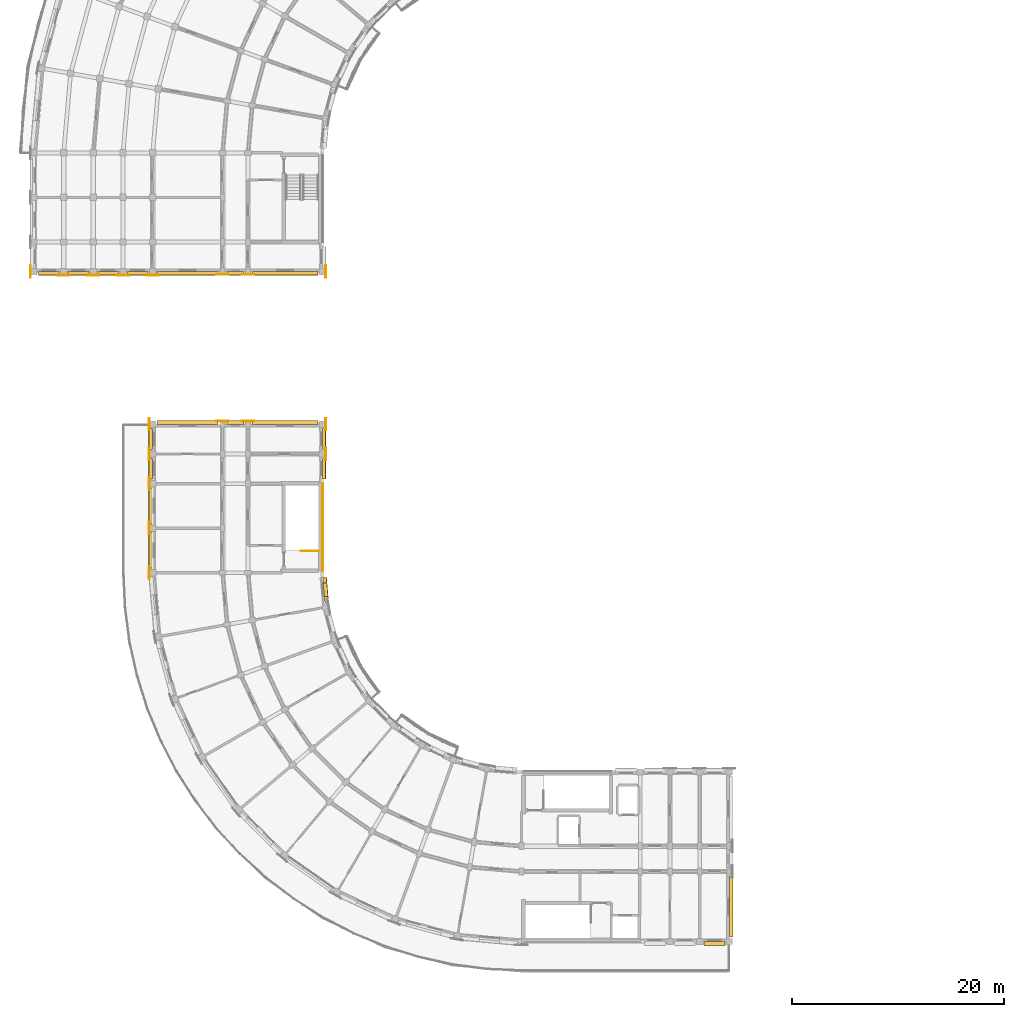
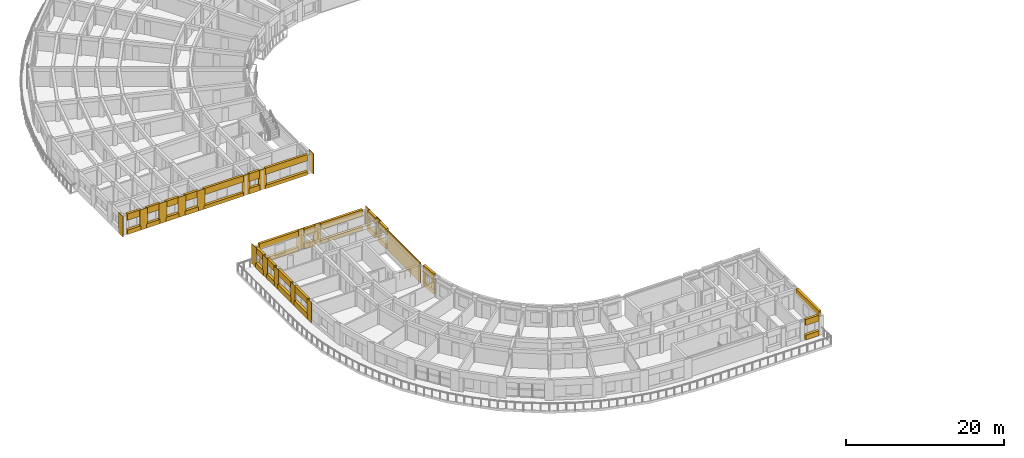
# One storey, part 39 of 53: 57 coverings, 1 railing.
"""IFC4 building model written with IfcOpenShell, lengths in metres."""

from ifc_helpers import new_model, si_unit, direction, frame, origin, origin_2d, place, context, subcontext, project, spatial, polyline, circle, outline, extrude, material, layer, layer_set, type_object, element, save


model = new_model("IFC4")

# Units and contexts
model_context = context("Model", 3, precision=1e-05, world=origin(), true_north=direction((0.0, 1.0)))
body_context = subcontext(model_context, "Body", "Model", "MODEL_VIEW")
ifc_project = project(units=[si_unit("LENGTHUNIT", "METRE"), si_unit("AREAUNIT", "SQUARE_METRE"), si_unit("VOLUMEUNIT", "CUBIC_METRE"), si_unit("PLANEANGLEUNIT", "RADIAN"), si_unit("MASSUNIT", "GRAM", prefix="KILO")], contexts=[model_context])

# Site, building, storey
site_placement = place(None, origin())
site = spatial("IfcSite", under=ifc_project, at=site_placement, CompositionType="ELEMENT")
building_placement = place(site_placement, origin())
building = spatial("IfcBuilding", under=site, at=building_placement, Name="Kiranvali Square Residences", CompositionType="ELEMENT")
storey_placement = place(building_placement, frame((0.0, 0.0, 30.75)))
storey = spatial("IfcBuildingStorey", under=building, at=storey_placement, Name="L09", CompositionType="ELEMENT", Elevation=30.75)

# Coverings
ifc_material_1 = material(Name="Honed Porbandar limestone ashlar facade cladding", Category="masonry")
ifc_layer_1 = layer(ifc_material_1, 0.3798828125)
ifc_layer_set_1 = layer_set([ifc_layer_1], Name="Honed Porbandar limestone ashlar facade cladding")
covering_type_1 = type_object("IfcCoveringType", Name="COV-CLAD-JAMB", PredefinedType="CLADDING", material=ifc_layer_set_1)
covering_1_placement = place(storey_placement, frame((0.0, 0.0, 0.701904296875)))
element("IfcCovering", 1, at=covering_1_placement, inside=storey, type_object=covering_type_1, Name="L09 deep limestone window jamb reveal C-L09-GDN-08.L", PredefinedType="CLADDING", context=body_context, shape_type="SweptSolid", body=[
    extrude(outline(polyline([(29.986083984375, 45.4033203125), (29.938232421875, 45.94970703125), (29.599853515625, 45.920166015625), (29.647705078125, 45.373779296875), (29.986083984375, 45.4033203125)])), origin(), (0.0, 0.0, 1.0), 1.5),
])
covering_2_placement = place(storey_placement, frame((0.0, 0.0, 0.701904296875)))
element("IfcCovering", 2, at=covering_2_placement, inside=storey, type_object=covering_type_1, Name="L09 deep limestone window jamb reveal C-L09-GDN-08.R", PredefinedType="CLADDING", context=body_context, shape_type="SweptSolid", body=[
    extrude(outline(polyline([(29.824951171875, 47.244873046875), (29.777099609375, 47.791259765625), (29.43896484375, 47.76171875), (29.486572265625, 47.21533203125), (29.824951171875, 47.244873046875)])), origin(), (0.0, 0.0, 1.0), 1.5),
])
ifc_layer_2 = layer(ifc_material_1, 0.06494140625)
ifc_layer_set_2 = layer_set([ifc_layer_2], Name="Honed Porbandar limestone ashlar facade cladding")
covering_type_2 = type_object("IfcCoveringType", Name="COV-CLAD-PIER", PredefinedType="CLADDING", material=ifc_layer_set_2)
covering_3_placement = place(storey_placement, frame((0.0, 0.0, 0.0048828125)))
element("IfcCovering", 3, at=covering_3_placement, inside=storey, type_object=covering_type_2, Name="L09 Classical limestone corner pilaster CLAD-PR-C-L09-A09", PredefinedType="CLADDING", context=body_context, shape_type="SweptSolid", body=[
    extrude(outline(polyline([(13.031982421875, 48.780029296875), (13.031982421875, 47.6201171875), (13.099609375, 47.6201171875), (13.099609375, 48.780029296875), (13.031982421875, 48.780029296875)])), origin(), (0.0, 0.0, 1.0), 3.14013671875),
])
covering_4_placement = place(storey_placement, frame((0.0, 0.0, 0.0048828125)))
element("IfcCovering", 4, at=covering_4_placement, inside=storey, type_object=covering_type_2, Name="Block C L09 Arm 2 stair limestone ashlar cladding", PredefinedType="CLADDING", context=body_context, shape_type="SweptSolid", body=[
    extrude(outline(polyline([(29.47998046875, 48.39990234375), (29.47998046875, 56.64990234375), (29.402099609375, 56.64990234375), (29.402099609375, 48.39990234375), (29.47998046875, 48.39990234375)])), origin(), (0.0, 0.0, 1.0), 3.14013671875),
])
ifc_layer_3 = layer(ifc_material_1, 0.050048828125)
ifc_layer_set_3 = layer_set([ifc_layer_3], Name="Honed Porbandar limestone ashlar facade cladding")
covering_type_3 = type_object("IfcCoveringType", Name="COV-CLAD-PIER-IN", PredefinedType="CLADDING", material=ifc_layer_set_3)
covering_5_placement = place(storey_placement, frame((0.0, 0.0, 0.0048828125)))
element("IfcCovering", 5, at=covering_5_placement, inside=storey, type_object=covering_type_3, Name="L09 Classical limestone pilaster casing CLAD-PRA2I-A-L09-V112", PredefinedType="CLADDING", context=body_context, shape_type="SweptSolid", body=[
    extrude(outline(polyline([(29.700439453125, 77.179931640625), (29.700439453125, 76.02001953125), (29.76806640625, 76.02001953125), (29.76806640625, 77.179931640625), (29.700439453125, 77.179931640625)])), origin(), (0.0, 0.0, 1.0), 3.14013671875),
])
covering_6_placement = place(storey_placement, frame((0.0, 0.0, 0.0048828125)))
element("IfcCovering", 6, at=covering_6_placement, inside=storey, type_object=covering_type_3, Name="L09 Classical limestone pilaster casing CLAD-PRA2I-C-L09-V112", PredefinedType="CLADDING", context=body_context, shape_type="SweptSolid", body=[
    extrude(outline(polyline([(29.76806640625, 58.820068359375), (29.76806640625, 59.97998046875), (29.700439453125, 59.97998046875), (29.700439453125, 58.820068359375), (29.76806640625, 58.820068359375)])), origin(), (0.0, 0.0, 1.0), 3.14013671875),
])
covering_7_placement = place(storey_placement, frame((0.0, 0.0, 0.0048828125)))
element("IfcCovering", 7, at=covering_7_placement, inside=storey, type_object=covering_type_3, Name="L09 Classical limestone pilaster casing CLAD-PRA2I-C-L09-V140", PredefinedType="CLADDING", context=body_context, shape_type="SweptSolid", body=[
    extrude(outline(polyline([(29.76806640625, 61.6201171875), (29.76806640625, 62.780029296875), (29.700439453125, 62.780029296875), (29.700439453125, 61.6201171875), (29.76806640625, 61.6201171875)])), origin(), (0.0, 0.0, 1.0), 3.14013671875),
])
ifc_layer_4 = layer(ifc_material_1, 0.054931640625)
ifc_layer_set_4 = layer_set([ifc_layer_4], Name="Honed Porbandar limestone ashlar facade cladding")
covering_type_4 = type_object("IfcCoveringType", Name="COV-CLAD-PIER-UP", PredefinedType="CLADDING", material=ifc_layer_set_4)
covering_8_placement = place(storey_placement, frame((0.0, 0.0, 0.0048828125)))
element("IfcCovering", 8, at=covering_8_placement, inside=storey, type_object=covering_type_4, Name="L09 Classical limestone pilaster casing CLAD-PR-A-L09-V112", PredefinedType="CLADDING", context=body_context, shape_type="SweptSolid", body=[
    extrude(outline(polyline([(1.83203125, 77.179931640625), (1.83203125, 76.02001953125), (1.8994140625, 76.02001953125), (1.8994140625, 77.179931640625), (1.83203125, 77.179931640625)])), origin(), (0.0, 0.0, 1.0), 3.14013671875),
])
covering_9_placement = place(storey_placement, frame((0.0, 0.0, 0.0048828125)))
element("IfcCovering", 9, at=covering_9_placement, inside=storey, type_object=covering_type_4, Name="L09 Classical limestone pilaster casing CLAD-PRA2E-A-L09-R258", PredefinedType="CLADDING", context=body_context, shape_type="SweptSolid", body=[
    extrude(outline(polyline([(22.97998046875, 76.349609375), (21.820068359375, 76.349609375), (21.820068359375, 76.281982421875), (22.97998046875, 76.281982421875), (22.97998046875, 76.349609375)])), origin(), (0.0, 0.0, 1.0), 3.14013671875),
])
covering_10_placement = place(storey_placement, frame((0.0, 0.0, 0.0048828125)))
element("IfcCovering", 10, at=covering_10_placement, inside=storey, type_object=covering_type_4, Name="L09 Classical limestone pilaster casing CLAD-PRA2E-A-L09-R282", PredefinedType="CLADDING", context=body_context, shape_type="SweptSolid", body=[
    extrude(outline(polyline([(20.580078125, 76.349609375), (19.419921875, 76.349609375), (19.419921875, 76.281982421875), (20.580078125, 76.281982421875), (20.580078125, 76.349609375)])), origin(), (0.0, 0.0, 1.0), 3.14013671875),
])
covering_11_placement = place(storey_placement, frame((0.0, 0.0, 0.0048828125)))
element("IfcCovering", 11, at=covering_11_placement, inside=storey, type_object=covering_type_4, Name="L09 Classical limestone pilaster casing CLAD-PRA2E-A-L09-R348", PredefinedType="CLADDING", context=body_context, shape_type="SweptSolid", body=[
    extrude(outline(polyline([(13.97998046875, 76.299560546875), (12.820068359375, 76.299560546875), (12.820068359375, 76.23193359375), (13.97998046875, 76.23193359375), (13.97998046875, 76.299560546875)])), origin(), (0.0, 0.0, 1.0), 3.14013671875),
])
covering_12_placement = place(storey_placement, frame((0.0, 0.0, 0.0048828125)))
element("IfcCovering", 12, at=covering_12_placement, inside=storey, type_object=covering_type_4, Name="L09 Classical limestone pilaster casing CLAD-PRA2E-A-L09-R376", PredefinedType="CLADDING", context=body_context, shape_type="SweptSolid", body=[
    extrude(outline(polyline([(11.179931640625, 76.299560546875), (10.02001953125, 76.299560546875), (10.02001953125, 76.23193359375), (11.179931640625, 76.23193359375), (11.179931640625, 76.299560546875)])), origin(), (0.0, 0.0, 1.0), 3.14013671875),
])
covering_13_placement = place(storey_placement, frame((0.0, 0.0, 0.0048828125)))
element("IfcCovering", 13, at=covering_13_placement, inside=storey, type_object=covering_type_4, Name="L09 Classical limestone pilaster casing CLAD-PRA2E-A-L09-R404", PredefinedType="CLADDING", context=body_context, shape_type="SweptSolid", body=[
    extrude(outline(polyline([(8.3798828125, 76.299560546875), (7.219970703125, 76.299560546875), (7.219970703125, 76.23193359375), (8.3798828125, 76.23193359375), (8.3798828125, 76.299560546875)])), origin(), (0.0, 0.0, 1.0), 3.14013671875),
])
covering_14_placement = place(storey_placement, frame((0.0, 0.0, 0.0048828125)))
element("IfcCovering", 14, at=covering_14_placement, inside=storey, type_object=covering_type_4, Name="L09 Classical limestone pilaster casing CLAD-PRA2E-A-L09-R432", PredefinedType="CLADDING", context=body_context, shape_type="SweptSolid", body=[
    extrude(outline(polyline([(5.580078125, 76.299560546875), (4.419921875, 76.299560546875), (4.419921875, 76.23193359375), (5.580078125, 76.23193359375), (5.580078125, 76.299560546875)])), origin(), (0.0, 0.0, 1.0), 3.14013671875),
])
covering_15_placement = place(storey_placement, frame((0.0, 0.0, 0.0048828125)))
element("IfcCovering", 15, at=covering_15_placement, inside=storey, type_object=covering_type_4, Name="L09 Classical limestone pilaster casing CLAD-PR-C-L09-V42", PredefinedType="CLADDING", context=body_context, shape_type="SweptSolid", body=[
    extrude(outline(polyline([(13.099609375, 51.820068359375), (13.099609375, 52.97998046875), (13.031982421875, 52.97998046875), (13.031982421875, 51.820068359375), (13.099609375, 51.820068359375)])), origin(), (0.0, 0.0, 1.0), 3.14013671875),
])
covering_16_placement = place(storey_placement, frame((0.0, 0.0, 0.0048828125)))
element("IfcCovering", 16, at=covering_16_placement, inside=storey, type_object=covering_type_4, Name="L09 Classical limestone pilaster casing CLAD-PR-C-L09-V84", PredefinedType="CLADDING", context=body_context, shape_type="SweptSolid", body=[
    extrude(outline(polyline([(13.099609375, 56.02001953125), (13.099609375, 57.179931640625), (13.031982421875, 57.179931640625), (13.031982421875, 56.02001953125), (13.099609375, 56.02001953125)])), origin(), (0.0, 0.0, 1.0), 3.14013671875),
])
covering_17_placement = place(storey_placement, frame((0.0, 0.0, 0.0048828125)))
element("IfcCovering", 17, at=covering_17_placement, inside=storey, type_object=covering_type_4, Name="L09 Classical limestone pilaster casing CLAD-PR-C-L09-V112", PredefinedType="CLADDING", context=body_context, shape_type="SweptSolid", body=[
    extrude(outline(polyline([(13.099609375, 58.820068359375), (13.099609375, 59.97998046875), (13.031982421875, 59.97998046875), (13.031982421875, 58.820068359375), (13.099609375, 58.820068359375)])), origin(), (0.0, 0.0, 1.0), 3.14013671875),
])
covering_18_placement = place(storey_placement, frame((0.0, 0.0, 0.0048828125)))
element("IfcCovering", 18, at=covering_18_placement, inside=storey, type_object=covering_type_4, Name="L09 Classical limestone pilaster casing CLAD-PR-C-L09-V140", PredefinedType="CLADDING", context=body_context, shape_type="SweptSolid", body=[
    extrude(outline(polyline([(13.099609375, 61.6201171875), (13.099609375, 62.780029296875), (13.031982421875, 62.780029296875), (13.031982421875, 61.6201171875), (13.099609375, 61.6201171875)])), origin(), (0.0, 0.0, 1.0), 3.14013671875),
])
covering_19_placement = place(storey_placement, frame((0.0, 0.0, 0.0048828125)))
element("IfcCovering", 19, at=covering_19_placement, inside=storey, type_object=covering_type_4, Name="L09 Classical limestone pilaster casing CLAD-PRA2E-C-L09-R258", PredefinedType="CLADDING", context=body_context, shape_type="SweptSolid", body=[
    extrude(outline(polyline([(22.97998046875, 62.51806640625), (21.820068359375, 62.51806640625), (21.820068359375, 62.450439453125), (22.97998046875, 62.450439453125), (22.97998046875, 62.51806640625)])), origin(), (0.0, 0.0, 1.0), 3.14013671875),
])
covering_20_placement = place(storey_placement, frame((0.0, 0.0, 0.0048828125)))
element("IfcCovering", 20, at=covering_20_placement, inside=storey, type_object=covering_type_4, Name="L09 Classical limestone pilaster casing CLAD-PRA2E-C-L09-R282", PredefinedType="CLADDING", context=body_context, shape_type="SweptSolid", body=[
    extrude(outline(polyline([(20.580078125, 62.51806640625), (19.419921875, 62.51806640625), (19.419921875, 62.450439453125), (20.580078125, 62.450439453125), (20.580078125, 62.51806640625)])), origin(), (0.0, 0.0, 1.0), 3.14013671875),
])
ifc_layer_5 = layer(ifc_material_1, 0.360107421875)
ifc_layer_set_5 = layer_set([ifc_layer_5], Name="Honed Porbandar limestone ashlar facade cladding")
covering_type_5 = type_object("IfcCoveringType", Name="COV-CLAD-WALL", PredefinedType="CLADDING", material=ifc_layer_set_5)
covering_21_placement = place(storey_placement, frame((0.0, 0.0, 2.172119140625)))
element("IfcCovering", 21, at=covering_21_placement, inside=storey, type_object=covering_type_5, Name="L09 light limestone spandrel lintel A-L09-A2END-0", PredefinedType="CLADDING", context=body_context, shape_type="SweptSolid", body=[
    extrude(outline(polyline([(28.97998046875, 76.599609375), (22.820068359375, 76.599609375), (22.820068359375, 76.260009765625), (28.97998046875, 76.260009765625), (28.97998046875, 76.599609375)])), origin(), (0.0, 0.0, 1.0), 0.972900390625),
])
covering_22_placement = place(storey_placement, frame((0.0, 0.0, 0.0048828125)))
element("IfcCovering", 22, at=covering_22_placement, inside=storey, type_object=covering_type_5, Name="L09 limestone window sill apron A-L09-A2END-0", PredefinedType="CLADDING", context=body_context, shape_type="SweptSolid", body=[
    extrude(outline(polyline([(28.97998046875, 76.599609375), (22.820068359375, 76.599609375), (22.820068359375, 76.22998046875), (28.97998046875, 76.22998046875), (28.97998046875, 76.599609375)])), origin(), (0.0, 0.0, 1.0), 0.51708984375),
])
covering_23_placement = place(storey_placement, frame((0.0, 0.0, 1.929931640625)))
element("IfcCovering", 23, at=covering_23_placement, inside=storey, type_object=covering_type_5, Name="L09 light limestone spandrel lintel A-L09-A2END-1", PredefinedType="CLADDING", context=body_context, shape_type="SweptSolid", body=[
    extrude(outline(polyline([(21.97998046875, 76.599609375), (20.419921875, 76.599609375), (20.419921875, 76.260009765625), (21.97998046875, 76.260009765625), (21.97998046875, 76.599609375)])), origin(), (0.0, 0.0, 1.0), 1.215087890625),
])
covering_24_placement = place(storey_placement, frame((0.0, 0.0, 0.0048828125)))
element("IfcCovering", 24, at=covering_24_placement, inside=storey, type_object=covering_type_5, Name="L09 limestone window sill apron A-L09-A2END-1", PredefinedType="CLADDING", context=body_context, shape_type="SweptSolid", body=[
    extrude(outline(polyline([(21.97998046875, 76.599609375), (20.419921875, 76.599609375), (20.419921875, 76.22998046875), (21.97998046875, 76.22998046875), (21.97998046875, 76.599609375)])), origin(), (0.0, 0.0, 1.0), 0.875),
])
covering_25_placement = place(storey_placement, frame((0.0, 0.0, 2.172119140625)))
element("IfcCovering", 25, at=covering_25_placement, inside=storey, type_object=covering_type_5, Name="L09 light limestone spandrel lintel A-L09-A2END-2", PredefinedType="CLADDING", context=body_context, shape_type="SweptSolid", body=[
    extrude(outline(polyline([(19.580078125, 76.599609375), (13.820068359375, 76.599609375), (13.820068359375, 76.260009765625), (19.580078125, 76.260009765625), (19.580078125, 76.599609375)])), origin(), (0.0, 0.0, 1.0), 0.972900390625),
])
covering_26_placement = place(storey_placement, frame((0.0, 0.0, 0.0048828125)))
element("IfcCovering", 26, at=covering_26_placement, inside=storey, type_object=covering_type_5, Name="L09 limestone window sill apron A-L09-A2END-2", PredefinedType="CLADDING", context=body_context, shape_type="SweptSolid", body=[
    extrude(outline(polyline([(19.580078125, 76.599609375), (13.820068359375, 76.599609375), (13.820068359375, 76.22998046875), (19.580078125, 76.22998046875), (19.580078125, 76.599609375)])), origin(), (0.0, 0.0, 1.0), 0.51708984375),
])
covering_27_placement = place(storey_placement, frame((0.0, 0.0, 2.172119140625)))
element("IfcCovering", 27, at=covering_27_placement, inside=storey, type_object=covering_type_5, Name="L09 light limestone spandrel lintel A-L09-A2END-3", PredefinedType="CLADDING", context=body_context, shape_type="SweptSolid", body=[
    extrude(outline(polyline([(12.97998046875, 76.599609375), (11.02001953125, 76.599609375), (11.02001953125, 76.260009765625), (12.97998046875, 76.260009765625), (12.97998046875, 76.599609375)])), origin(), (0.0, 0.0, 1.0), 0.972900390625),
])
covering_28_placement = place(storey_placement, frame((0.0, 0.0, 0.0048828125)))
element("IfcCovering", 28, at=covering_28_placement, inside=storey, type_object=covering_type_5, Name="L09 limestone window sill apron A-L09-A2END-3", PredefinedType="CLADDING", context=body_context, shape_type="SweptSolid", body=[
    extrude(outline(polyline([(12.97998046875, 76.599609375), (11.02001953125, 76.599609375), (11.02001953125, 76.22998046875), (12.97998046875, 76.22998046875), (12.97998046875, 76.599609375)])), origin(), (0.0, 0.0, 1.0), 0.667236328125),
])
covering_29_placement = place(storey_placement, frame((0.0, 0.0, 2.172119140625)))
element("IfcCovering", 29, at=covering_29_placement, inside=storey, type_object=covering_type_5, Name="L09 light limestone spandrel lintel A-L09-A2END-4", PredefinedType="CLADDING", context=body_context, shape_type="SweptSolid", body=[
    extrude(outline(polyline([(10.179931640625, 76.599609375), (8.219970703125, 76.599609375), (8.219970703125, 76.260009765625), (10.179931640625, 76.260009765625), (10.179931640625, 76.599609375)])), origin(), (0.0, 0.0, 1.0), 0.972900390625),
])
covering_30_placement = place(storey_placement, frame((0.0, 0.0, 0.0048828125)))
element("IfcCovering", 30, at=covering_30_placement, inside=storey, type_object=covering_type_5, Name="L09 limestone window sill apron A-L09-A2END-4", PredefinedType="CLADDING", context=body_context, shape_type="SweptSolid", body=[
    extrude(outline(polyline([(10.179931640625, 76.599609375), (8.219970703125, 76.599609375), (8.219970703125, 76.22998046875), (10.179931640625, 76.22998046875), (10.179931640625, 76.599609375)])), origin(), (0.0, 0.0, 1.0), 0.667236328125),
])
covering_31_placement = place(storey_placement, frame((0.0, 0.0, 2.172119140625)))
element("IfcCovering", 31, at=covering_31_placement, inside=storey, type_object=covering_type_5, Name="L09 light limestone spandrel lintel A-L09-A2END-5", PredefinedType="CLADDING", context=body_context, shape_type="SweptSolid", body=[
    extrude(outline(polyline([(7.3798828125, 76.599609375), (5.419921875, 76.599609375), (5.419921875, 76.260009765625), (7.3798828125, 76.260009765625), (7.3798828125, 76.599609375)])), origin(), (0.0, 0.0, 1.0), 0.972900390625),
])
covering_32_placement = place(storey_placement, frame((0.0, 0.0, 0.0048828125)))
element("IfcCovering", 32, at=covering_32_placement, inside=storey, type_object=covering_type_5, Name="L09 limestone window sill apron A-L09-A2END-5", PredefinedType="CLADDING", context=body_context, shape_type="SweptSolid", body=[
    extrude(outline(polyline([(7.3798828125, 76.599609375), (5.419921875, 76.599609375), (5.419921875, 76.22998046875), (7.3798828125, 76.22998046875), (7.3798828125, 76.599609375)])), origin(), (0.0, 0.0, 1.0), 0.667236328125),
])
covering_33_placement = place(storey_placement, frame((0.0, 0.0, 2.172119140625)))
element("IfcCovering", 33, at=covering_33_placement, inside=storey, type_object=covering_type_5, Name="L09 light limestone spandrel lintel A-L09-A2END-6", PredefinedType="CLADDING", context=body_context, shape_type="SweptSolid", body=[
    extrude(outline(polyline([(4.580078125, 76.599609375), (2.6201171875, 76.599609375), (2.6201171875, 76.260009765625), (4.580078125, 76.260009765625), (4.580078125, 76.599609375)])), origin(), (0.0, 0.0, 1.0), 0.972900390625),
])
covering_34_placement = place(storey_placement, frame((0.0, 0.0, 0.0048828125)))
element("IfcCovering", 34, at=covering_34_placement, inside=storey, type_object=covering_type_5, Name="L09 limestone window sill apron A-L09-A2END-6", PredefinedType="CLADDING", context=body_context, shape_type="SweptSolid", body=[
    extrude(outline(polyline([(4.580078125, 76.599609375), (2.6201171875, 76.599609375), (2.6201171875, 76.22998046875), (4.580078125, 76.22998046875), (4.580078125, 76.599609375)])), origin(), (0.0, 0.0, 1.0), 0.667236328125),
])
covering_35_placement = place(storey_placement, frame((0.0, 0.0, 2.201904296875)))
element("IfcCovering", 35, at=covering_35_placement, inside=storey, type_object=covering_type_5, Name="L09 light limestone spandrel lintel C-L09-GDN-08", PredefinedType="CLADDING", context=body_context, shape_type="SweptSolid", body=[
    extrude(outline(polyline([(29.986083984375, 45.4033203125), (29.777099609375, 47.791259765625), (29.43896484375, 47.76171875), (29.647705078125, 45.373779296875), (29.986083984375, 45.4033203125)])), origin(), (0.0, 0.0, 1.0), 0.943115234375),
])
covering_36_placement = place(storey_placement, frame((0.0, 0.0, 2.251953125)))
element("IfcCovering", 36, at=covering_36_placement, inside=storey, type_object=covering_type_5, Name="L09 light limestone spandrel lintel C-L09-A1TO-2", PredefinedType="CLADDING", context=body_context, shape_type="SweptSolid", body=[
    extrude(outline(polyline([(65.419921875, 13.050048828125), (67.3798828125, 13.050048828125), (67.3798828125, 13.3994140625), (65.419921875, 13.3994140625), (65.419921875, 13.050048828125)])), origin(), (0.0, 0.0, 1.0), 0.89306640625),
])
covering_37_placement = place(storey_placement, frame((0.0, 0.0, 0.0048828125)))
element("IfcCovering", 37, at=covering_37_placement, inside=storey, type_object=covering_type_5, Name="L09 limestone window sill apron C-L09-A1TO-2", PredefinedType="CLADDING", context=body_context, shape_type="SweptSolid", body=[
    extrude(outline(polyline([(65.419921875, 13.02001953125), (67.3798828125, 13.02001953125), (67.3798828125, 13.3994140625), (65.419921875, 13.3994140625), (65.419921875, 13.02001953125)])), origin(), (0.0, 0.0, 1.0), 0.7470703125),
])
covering_38_placement = place(storey_placement, frame((0.0, 0.0, 2.260009765625)))
element("IfcCovering", 38, at=covering_38_placement, inside=storey, type_object=covering_type_5, Name="L09 light limestone spandrel lintel C-L09-A1END-2", PredefinedType="CLADDING", context=body_context, shape_type="SweptSolid", body=[
    extrude(outline(polyline([(67.800537109375, 19.580078125), (67.800537109375, 13.820068359375), (68.139892578125, 13.820068359375), (68.139892578125, 19.580078125), (67.800537109375, 19.580078125)])), origin(), (0.0, 0.0, 1.0), 0.885009765625),
])
covering_39_placement = place(storey_placement, frame((0.0, 0.0, 2.251953125)))
element("IfcCovering", 39, at=covering_39_placement, inside=storey, type_object=covering_type_5, Name="L09 light limestone spandrel lintel C-L09-A2O-0", PredefinedType="CLADDING", context=body_context, shape_type="SweptSolid", body=[
    extrude(outline(polyline([(13.3994140625, 48.6201171875), (13.3994140625, 51.97998046875), (13.050048828125, 51.97998046875), (13.050048828125, 48.6201171875), (13.3994140625, 48.6201171875)])), origin(), (0.0, 0.0, 1.0), 0.89306640625),
])
covering_40_placement = place(storey_placement, frame((0.0, 0.0, 0.0048828125)))
element("IfcCovering", 40, at=covering_40_placement, inside=storey, type_object=covering_type_5, Name="L09 limestone window sill apron C-L09-A2O-0", PredefinedType="CLADDING", context=body_context, shape_type="SweptSolid", body=[
    extrude(outline(polyline([(13.3994140625, 48.6201171875), (13.3994140625, 51.97998046875), (13.02001953125, 51.97998046875), (13.02001953125, 48.6201171875), (13.3994140625, 48.6201171875)])), origin(), (0.0, 0.0, 1.0), 0.84716796875),
])
covering_41_placement = place(storey_placement, frame((0.0, 0.0, 2.251953125)))
element("IfcCovering", 41, at=covering_41_placement, inside=storey, type_object=covering_type_5, Name="L09 light limestone spandrel lintel C-L09-A2O-1", PredefinedType="CLADDING", context=body_context, shape_type="SweptSolid", body=[
    extrude(outline(polyline([(13.3994140625, 52.820068359375), (13.3994140625, 56.179931640625), (13.050048828125, 56.179931640625), (13.050048828125, 52.820068359375), (13.3994140625, 52.820068359375)])), origin(), (0.0, 0.0, 1.0), 0.89306640625),
])
covering_42_placement = place(storey_placement, frame((0.0, 0.0, 0.0048828125)))
element("IfcCovering", 42, at=covering_42_placement, inside=storey, type_object=covering_type_5, Name="L09 limestone window sill apron C-L09-A2O-1", PredefinedType="CLADDING", context=body_context, shape_type="SweptSolid", body=[
    extrude(outline(polyline([(13.3994140625, 52.820068359375), (13.3994140625, 56.179931640625), (13.02001953125, 56.179931640625), (13.02001953125, 52.820068359375), (13.3994140625, 52.820068359375)])), origin(), (0.0, 0.0, 1.0), 0.84716796875),
])
covering_43_placement = place(storey_placement, frame((0.0, 0.0, 2.251953125)))
element("IfcCovering", 43, at=covering_43_placement, inside=storey, type_object=covering_type_5, Name="L09 light limestone spandrel lintel C-L09-A2O-2", PredefinedType="CLADDING", context=body_context, shape_type="SweptSolid", body=[
    extrude(outline(polyline([(13.3994140625, 57.02001953125), (13.3994140625, 58.97998046875), (13.050048828125, 58.97998046875), (13.050048828125, 57.02001953125), (13.3994140625, 57.02001953125)])), origin(), (0.0, 0.0, 1.0), 0.89306640625),
])
covering_44_placement = place(storey_placement, frame((0.0, 0.0, 0.0048828125)))
element("IfcCovering", 44, at=covering_44_placement, inside=storey, type_object=covering_type_5, Name="L09 limestone window sill apron C-L09-A2O-2", PredefinedType="CLADDING", context=body_context, shape_type="SweptSolid", body=[
    extrude(outline(polyline([(13.3994140625, 57.02001953125), (13.3994140625, 58.97998046875), (13.02001953125, 58.97998046875), (13.02001953125, 57.02001953125), (13.3994140625, 57.02001953125)])), origin(), (0.0, 0.0, 1.0), 0.7470703125),
])
covering_45_placement = place(storey_placement, frame((0.0, 0.0, 2.251953125)))
element("IfcCovering", 45, at=covering_45_placement, inside=storey, type_object=covering_type_5, Name="L09 light limestone spandrel lintel C-L09-A2O-3", PredefinedType="CLADDING", context=body_context, shape_type="SweptSolid", body=[
    extrude(outline(polyline([(13.3994140625, 59.820068359375), (13.3994140625, 61.780029296875), (13.050048828125, 61.780029296875), (13.050048828125, 59.820068359375), (13.3994140625, 59.820068359375)])), origin(), (0.0, 0.0, 1.0), 0.89306640625),
])
covering_46_placement = place(storey_placement, frame((0.0, 0.0, 0.0048828125)))
element("IfcCovering", 46, at=covering_46_placement, inside=storey, type_object=covering_type_5, Name="L09 limestone window sill apron C-L09-A2O-3", PredefinedType="CLADDING", context=body_context, shape_type="SweptSolid", body=[
    extrude(outline(polyline([(13.3994140625, 59.820068359375), (13.3994140625, 61.780029296875), (13.02001953125, 61.780029296875), (13.02001953125, 59.820068359375), (13.3994140625, 59.820068359375)])), origin(), (0.0, 0.0, 1.0), 0.7470703125),
])
covering_47_placement = place(storey_placement, frame((0.0, 0.0, 2.251953125)))
element("IfcCovering", 47, at=covering_47_placement, inside=storey, type_object=covering_type_5, Name="L09 light limestone spandrel lintel C-L09-A2I-0", PredefinedType="CLADDING", context=body_context, shape_type="SweptSolid", body=[
    extrude(outline(polyline([(29.719970703125, 57.02001953125), (29.719970703125, 58.97998046875), (29.400390625, 58.97998046875), (29.400390625, 57.02001953125), (29.719970703125, 57.02001953125)])), origin(), (0.0, 0.0, 1.0), 0.89306640625),
])
covering_48_placement = place(storey_placement, frame((0.0, 0.0, 0.0048828125)))
element("IfcCovering", 48, at=covering_48_placement, inside=storey, type_object=covering_type_5, Name="L09 limestone window sill apron C-L09-A2I-0", PredefinedType="CLADDING", context=body_context, shape_type="SweptSolid", body=[
    extrude(outline(polyline([(29.75, 57.02001953125), (29.75, 58.97998046875), (29.400390625, 58.97998046875), (29.400390625, 57.02001953125), (29.75, 57.02001953125)])), origin(), (0.0, 0.0, 1.0), 0.7470703125),
])
covering_49_placement = place(storey_placement, frame((0.0, 0.0, 2.251953125)))
element("IfcCovering", 49, at=covering_49_placement, inside=storey, type_object=covering_type_5, Name="L09 light limestone spandrel lintel C-L09-A2I-1", PredefinedType="CLADDING", context=body_context, shape_type="SweptSolid", body=[
    extrude(outline(polyline([(29.719970703125, 59.820068359375), (29.719970703125, 61.780029296875), (29.400390625, 61.780029296875), (29.400390625, 59.820068359375), (29.719970703125, 59.820068359375)])), origin(), (0.0, 0.0, 1.0), 0.89306640625),
])
covering_50_placement = place(storey_placement, frame((0.0, 0.0, 0.0048828125)))
element("IfcCovering", 50, at=covering_50_placement, inside=storey, type_object=covering_type_5, Name="L09 limestone window sill apron C-L09-A2I-1", PredefinedType="CLADDING", context=body_context, shape_type="SweptSolid", body=[
    extrude(outline(polyline([(29.75, 59.820068359375), (29.75, 61.780029296875), (29.400390625, 61.780029296875), (29.400390625, 59.820068359375), (29.75, 59.820068359375)])), origin(), (0.0, 0.0, 1.0), 0.7470703125),
])
covering_51_placement = place(storey_placement, frame((0.0, 0.0, 2.152099609375)))
element("IfcCovering", 51, at=covering_51_placement, inside=storey, type_object=covering_type_5, Name="L09 light limestone spandrel lintel C-L09-A2END-0", PredefinedType="CLADDING", context=body_context, shape_type="SweptSolid", body=[
    extrude(outline(polyline([(28.97998046875, 62.5400390625), (22.820068359375, 62.5400390625), (22.820068359375, 62.200439453125), (28.97998046875, 62.200439453125), (28.97998046875, 62.5400390625)])), origin(), (0.0, 0.0, 1.0), 0.992919921875),
])
covering_52_placement = place(storey_placement, frame((0.0, 0.0, 0.0048828125)))
element("IfcCovering", 52, at=covering_52_placement, inside=storey, type_object=covering_type_5, Name="L09 limestone window sill apron C-L09-A2END-0", PredefinedType="CLADDING", context=body_context, shape_type="SweptSolid", body=[
    extrude(outline(polyline([(28.97998046875, 62.570068359375), (22.820068359375, 62.570068359375), (22.820068359375, 62.200439453125), (28.97998046875, 62.200439453125), (28.97998046875, 62.570068359375)])), origin(), (0.0, 0.0, 1.0), 0.4970703125),
])
covering_53_placement = place(storey_placement, frame((0.0, 0.0, 1.929931640625)))
element("IfcCovering", 53, at=covering_53_placement, inside=storey, type_object=covering_type_5, Name="L09 light limestone spandrel lintel C-L09-A2END-1", PredefinedType="CLADDING", context=body_context, shape_type="SweptSolid", body=[
    extrude(outline(polyline([(21.97998046875, 62.5400390625), (20.419921875, 62.5400390625), (20.419921875, 62.200439453125), (21.97998046875, 62.200439453125), (21.97998046875, 62.5400390625)])), origin(), (0.0, 0.0, 1.0), 1.215087890625),
])
covering_54_placement = place(storey_placement, frame((0.0, 0.0, 0.0048828125)))
element("IfcCovering", 54, at=covering_54_placement, inside=storey, type_object=covering_type_5, Name="L09 limestone window sill apron C-L09-A2END-1", PredefinedType="CLADDING", context=body_context, shape_type="SweptSolid", body=[
    extrude(outline(polyline([(21.97998046875, 62.570068359375), (20.419921875, 62.570068359375), (20.419921875, 62.200439453125), (21.97998046875, 62.200439453125), (21.97998046875, 62.570068359375)])), origin(), (0.0, 0.0, 1.0), 0.875),
])
covering_55_placement = place(storey_placement, frame((0.0, 0.0, 2.260009765625)))
element("IfcCovering", 55, at=covering_55_placement, inside=storey, type_object=covering_type_5, Name="L09 light limestone spandrel lintel C-L09-A2END-2", PredefinedType="CLADDING", context=body_context, shape_type="SweptSolid", body=[
    extrude(outline(polyline([(19.580078125, 62.5400390625), (13.820068359375, 62.5400390625), (13.820068359375, 62.200439453125), (19.580078125, 62.200439453125), (19.580078125, 62.5400390625)])), origin(), (0.0, 0.0, 1.0), 0.885009765625),
])
covering_56_placement = place(storey_placement, frame((0.0, 0.0, 0.0048828125)))
element("IfcCovering", 56, at=covering_56_placement, inside=storey, type_object=covering_type_5, Name="L09 limestone window sill apron C-L09-A2END-2", PredefinedType="CLADDING", context=body_context, shape_type="SweptSolid", body=[
    extrude(outline(polyline([(19.580078125, 62.570068359375), (13.820068359375, 62.570068359375), (13.820068359375, 62.200439453125), (19.580078125, 62.200439453125), (19.580078125, 62.570068359375)])), origin(), (0.0, 0.0, 1.0), 0.605224609375),
])
ifc_layer_6 = layer(ifc_material_1, 0.2900390625)
ifc_layer_set_6 = layer_set([ifc_layer_6], Name="Honed Porbandar limestone ashlar facade cladding")
covering_type_6 = type_object("IfcCoveringType", Name="COV-CLAD-WALL-IN", PredefinedType="CLADDING", material=ifc_layer_set_6)
covering_57_placement = place(storey_placement, frame((0.0, 0.0, 0.0048828125)))
element("IfcCovering", 57, at=covering_57_placement, inside=storey, type_object=covering_type_6, Name="L09 limestone window sill apron C-L09-GDN-08", PredefinedType="CLADDING", context=body_context, shape_type="SweptSolid", body=[
    extrude(outline(polyline([(30.015869140625, 45.406005859375), (29.806884765625, 47.7939453125), (29.43896484375, 47.76171875), (29.647705078125, 45.373779296875), (30.015869140625, 45.406005859375)])), origin(), (0.0, 0.0, 1.0), 0.697021484375),
])

# Railing
ifc_material_2 = material(Name="Powder-coated architectural bronze balustrade", Category="steel")
railing_type = type_object("IfcRailingType", Name="RL-ST-GUARD-1200", PredefinedType="GUARDRAIL", material=ifc_material_2)
railing_placement = place(storey_placement, frame((29.050048828125, 50.25, 0.0)))
element("IfcRailing", 58, at=railing_placement, inside=storey, type_object=railing_type, Name="L09 ST-C3 top well guard 1", PredefinedType="GUARDRAIL", context=body_context, shape_type="SweptSolid", body=[
    extrude(circle(Radius=0.02392578125, at=origin_2d()), frame((0.0, 0.0, 1.1259765625), z_axis=(-1.0, 0.0, 0.0), x_axis=(0.0, -1.0, 0.0)), (0.0, 0.0, 1.0), 1.650146484375),
    extrude(circle(Radius=0.02099609375, at=origin_2d()), origin(), (0.0, 0.0, 1.0), 1.101806640625),
    extrude(circle(Radius=0.02099609375, at=origin_2d()), frame((-0.8251953125, 0.0, 0.0)), (0.0, 0.0, 1.0), 1.101806640625),
    extrude(circle(Radius=0.02099609375, at=origin_2d()), frame((-1.650146484375, 0.0, 0.0)), (0.0, 0.0, 1.0), 1.101806640625),
])

save(model, "model.ifc")
